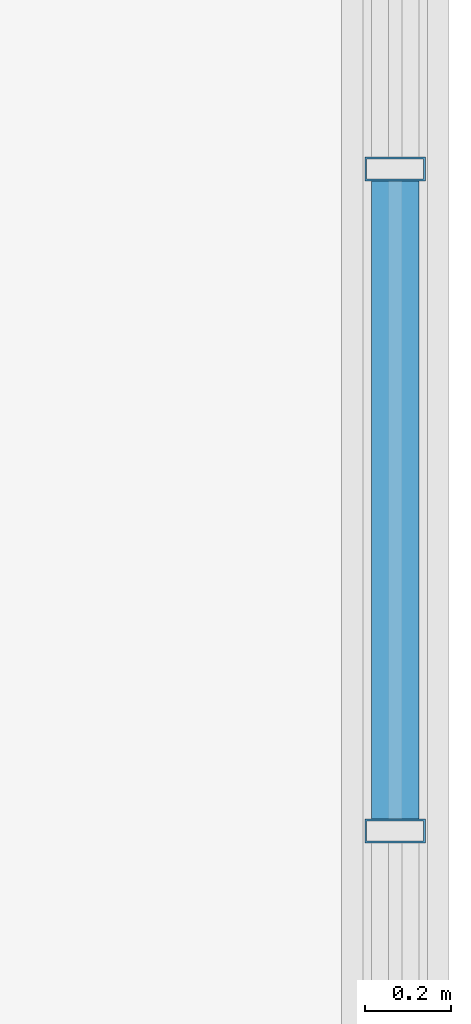
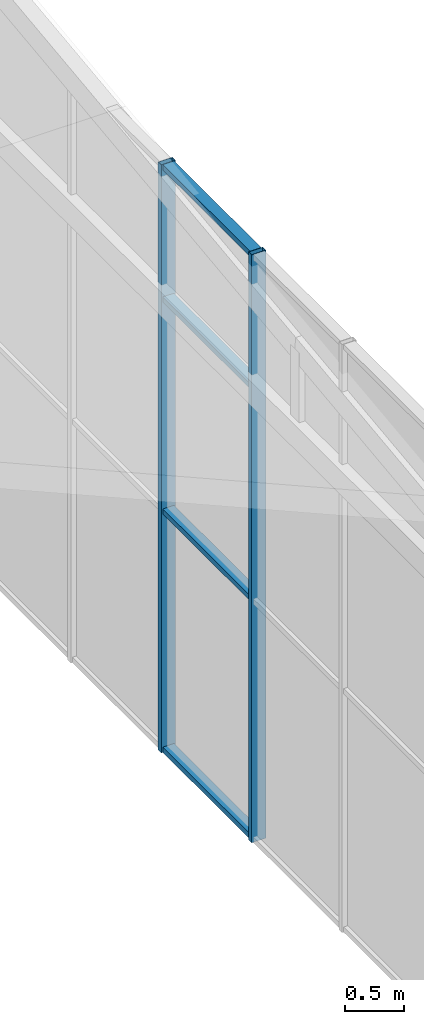
# One storey, part 70 of 104: 6 members, 1 element without a shape of its own.
"""IFC4 building model written with IfcOpenShell, lengths in metres."""

from ifc_helpers import new_model, si_unit, direction, frame, origin, origin_2d, place, context, subcontext, project, spatial, hollow_rectangle, extrude, material, layer, layer_set, material_profile, profile_set, type_object, element, aggregate, save


model = new_model("IFC4")

# Units and contexts
model_context = context("Model", 3, precision=1e-05, world=origin(), true_north=direction((0.0, 1.0)))
body_context = subcontext(model_context, "Body", "Model", "MODEL_VIEW")
ifc_project = project(units=[si_unit("LENGTHUNIT", "METRE"), si_unit("AREAUNIT", "SQUARE_METRE"), si_unit("VOLUMEUNIT", "CUBIC_METRE"), si_unit("PLANEANGLEUNIT", "RADIAN"), si_unit("MASSUNIT", "GRAM", prefix="KILO")], contexts=[model_context])

# Site, building, storey
site_placement = place(None, origin())
site = spatial("IfcSite", under=ifc_project, at=site_placement, CompositionType="ELEMENT")
building_placement = place(site_placement, origin())
building = spatial("IfcBuilding", under=site, at=building_placement, Name="Solvenia Promenade Tram Depot", CompositionType="ELEMENT")
storey_placement = place(building_placement, frame((0.0, 0.0, 9.0)))
storey = spatial("IfcBuildingStorey", under=building, at=storey_placement, Name="L02", CompositionType="ELEMENT", Elevation=9.0)

# Curtain wall, members
ifc_material = material(Name="Anodized aluminium AW-6063 T6", Category="aluminium")
ifc_layer = layer(ifc_material, 0.080078125, Name="Anodized aluminium AW-6063 T6", Category="aluminium")
ifc_layer_set = layer_set([ifc_layer], Name="Anodized aluminium AW-6063 T6")
curtain_wall_type = type_object("IfcCurtainWallType", Name="CW-Clerest-1500", PredefinedType="NOTDEFINED", material=ifc_layer_set)
curtain_wall_placement = place(storey_placement, origin())
curtain_wall = element("IfcCurtainWall", 1, at=curtain_wall_placement, inside=storey, type_object=curtain_wall_type, Name="Curtain Wall CW-V2E-L2-2", PredefinedType="NOTDEFINED")
ifc_material_profile_1 = material_profile(ifc_material, hollow_rectangle(XDim=0.139892578125, YDim=0.054931640625, WallThickness=0.00390625, at=origin_2d()), Name="ALU-M4", Category="aluminium")
ifc_profile_set_1 = profile_set([ifc_material_profile_1], Name="Anodized aluminium AW-6063 T6")
member_type_1 = type_object("IfcMemberType", Name="CWM-Mullion-4", PredefinedType="MULLION", material=ifc_profile_set_1)
member_1_placement = place(storey_placement, frame((186.0, 45.768798828125, -0.25), z_axis=(0.0, 0.0, 1.0), x_axis=(-1.0, 0.0, 0.0)))
member_1 = element("IfcMember", 2, at=member_1_placement, type_object=member_type_1, Name="CW-4 mullion 6", PredefinedType="MULLION", context=body_context, shape_type="SweptSolid", body=[
    extrude(hollow_rectangle(XDim=0.139892578125, YDim=0.054931640625, WallThickness=0.00390625, at=origin_2d()), origin(), (0.0, 0.0, 1.0), 6.10009765625),
])
member_2_placement = place(storey_placement, frame((186.0, 47.306640625, -0.25), z_axis=(0.0, 0.0, 1.0), x_axis=(-1.0, 0.0, 0.0)))
member_2 = element("IfcMember", 3, at=member_2_placement, type_object=member_type_1, Name="CW-4 mullion 7", PredefinedType="MULLION", context=body_context, shape_type="SweptSolid", body=[
    extrude(hollow_rectangle(XDim=0.139892578125, YDim=0.054931640625, WallThickness=0.00390625, at=origin_2d()), origin(), (0.0, 0.0, 1.0), 6.10009765625),
])
ifc_material_profile_2 = material_profile(ifc_material, hollow_rectangle(XDim=0.110107421875, YDim=0.054931640625, WallThickness=0.00390625, at=origin_2d()), Name="ALU-T4", Category="aluminium")
ifc_profile_set_2 = profile_set([ifc_material_profile_2], Name="Anodized aluminium AW-6063 T6")
member_type_2 = type_object("IfcMemberType", Name="CWT-Transom-4", PredefinedType="USERDEFINED", material=ifc_profile_set_2)
member_3_placement = place(storey_placement, frame((186.0, 45.79638671875, -0.222412109375), z_axis=(0.0, 1.0, 0.0), x_axis=(-1.0, 0.0, 0.0)))
member_3 = element("IfcMember", 4, at=member_3_placement, type_object=member_type_2, Name="CW-4 transom 6.1", ObjectType="TRANSOM", PredefinedType="USERDEFINED", context=body_context, shape_type="SweptSolid", body=[
    extrude(hollow_rectangle(XDim=0.110107421875, YDim=0.054931640625, WallThickness=0.00390625, at=origin_2d()), origin(), (0.0, 0.0, 1.0), 1.482666015625),
])
member_4_placement = place(storey_placement, frame((186.0, 45.79638671875, 2.25), z_axis=(0.0, 1.0, 0.0), x_axis=(-1.0, 0.0, 0.0)))
member_4 = element("IfcMember", 5, at=member_4_placement, type_object=member_type_2, Name="CW-4 transom 6.2", ObjectType="TRANSOM", PredefinedType="USERDEFINED", context=body_context, shape_type="SweptSolid", body=[
    extrude(hollow_rectangle(XDim=0.110107421875, YDim=0.054931640625, WallThickness=0.00390625, at=origin_2d()), origin(), (0.0, 0.0, 1.0), 1.482666015625),
])
member_5_placement = place(storey_placement, frame((186.0, 45.79638671875, 4.449951171875), z_axis=(0.0, 1.0, 0.0), x_axis=(-1.0, 0.0, 0.0)))
member_5 = element("IfcMember", 6, at=member_5_placement, type_object=member_type_2, Name="CW-4 transom 6.3", ObjectType="TRANSOM", PredefinedType="USERDEFINED", context=body_context, shape_type="SweptSolid", body=[
    extrude(hollow_rectangle(XDim=0.110107421875, YDim=0.054931640625, WallThickness=0.00390625, at=origin_2d()), origin(), (0.0, 0.0, 1.0), 1.482666015625),
])
member_6_placement = place(storey_placement, frame((186.0, 45.79638671875, 5.822509765625), z_axis=(0.0, 1.0, 0.0), x_axis=(-1.0, 0.0, 0.0)))
member_6 = element("IfcMember", 7, at=member_6_placement, type_object=member_type_2, Name="CW-4 transom 6.4", ObjectType="TRANSOM", PredefinedType="USERDEFINED", context=body_context, shape_type="SweptSolid", body=[
    extrude(hollow_rectangle(XDim=0.110107421875, YDim=0.054931640625, WallThickness=0.00390625, at=origin_2d()), origin(), (0.0, 0.0, 1.0), 1.482666015625),
])
aggregate(curtain_wall, [member_1, member_2, member_3, member_4, member_5, member_6])

save(model, "model.ifc")
